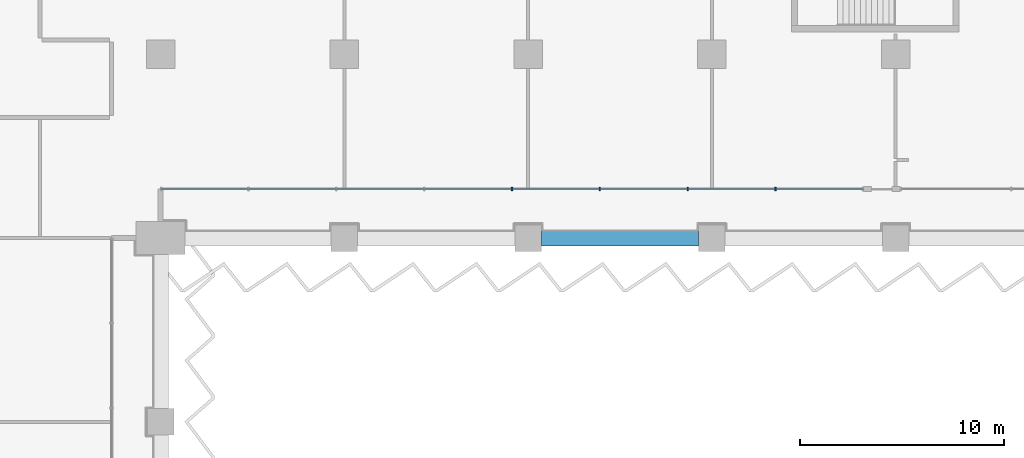
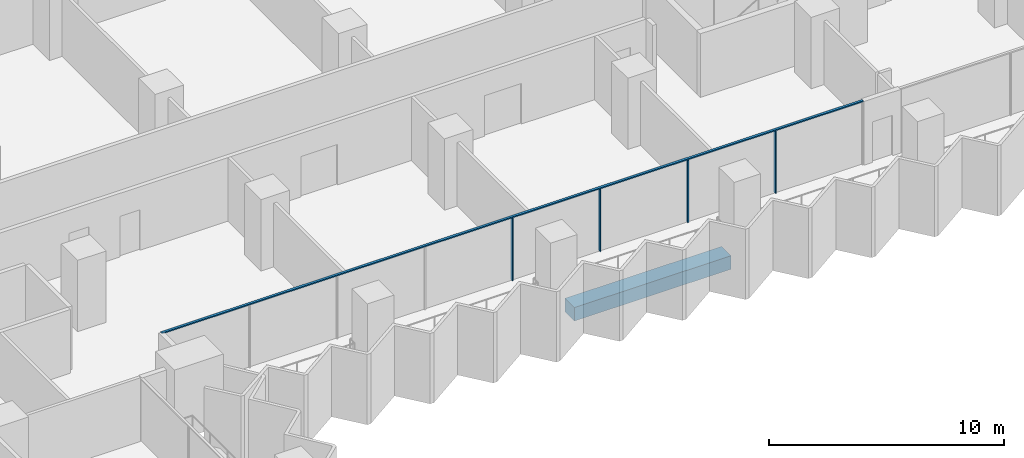
# One storey, part 5 of 28: 5 members, 1 beam, 1 element without a shape of its own.
"""IFC4 building model written with IfcOpenShell, lengths in metres."""

import ifcopenshell
import ifcopenshell.guid

model = None  # the IFC model being written
_history = None  # IfcOwnerHistory: only IFC2X3 demands one
_inside = {}  # id of a spatial element -> (the spatial element, [elements in it])
_under = {}  # id of a project, library or spatial element -> (it, [spatial elements below it])
_declared = {}  # id of a project -> (the project, [libraries it declares])
_typed = {}  # id of a type object -> (the type object, [elements of that type])
_made_of = {}  # id of a material, layer set ... -> (it, [elements and type objects made of it])


def new_model(schema):
    """Start an empty IFC model of exactly this schema.

    Asked for "IFC4X3", IfcOpenShell would pick the latest addendum, in which some entities
    have other attributes; the version numbers below select the first issue.
    IFC2X3 requires an IfcOwnerHistory on every rooted entity: one is made here for all.
    """
    global model, _history
    if schema == "IFC4X3":
        model = ifcopenshell.file(schema_version=(4, 3, 0, 0))
    else:
        model = ifcopenshell.file(schema=schema)
    _inside.clear()
    _under.clear()
    _declared.clear()
    _typed.clear()
    _made_of.clear()
    _history = None
    if model.schema == "IFC2X3":
        org = make("IfcOrganization", Name="unknown")
        user = make(
            "IfcPersonAndOrganization",
            ThePerson=make("IfcPerson", FamilyName="unknown"),
            TheOrganization=org,
        )
        app = make(
            "IfcApplication",
            ApplicationDeveloper=org,
            Version="unknown",
            ApplicationFullName="unknown",
            ApplicationIdentifier="unknown",
        )
        _history = make(
            "IfcOwnerHistory",
            OwningUser=user,
            OwningApplication=app,
            ChangeAction="ADDED",
            CreationDate=0,
        )
    return model


def make(cls, **values):
    """One entity of the class cls with the attributes given. An attribute that is None is left unset."""
    return model.create_entity(
        cls, **{name: value for name, value in values.items() if value is not None}
    )


def rooted(cls, **values):
    """An entity with a GlobalId (a new one), such as an element, a storey or a relation."""
    return make(cls, GlobalId=ifcopenshell.guid.new(), OwnerHistory=_history, **values)


def si_unit(unit_type, name, prefix=None):
    """IfcSIUnit, for example si_unit("LENGTHUNIT", "METRE", prefix="MILLI")."""
    return make("IfcSIUnit", UnitType=unit_type, Prefix=prefix, Name=name)


def assignment(units):
    """IfcUnitAssignment: the units of a project."""
    return None if units is None else make("IfcUnitAssignment", Units=units)


def point(xyz):
    """IfcCartesianPoint."""
    return None if xyz is None else make("IfcCartesianPoint", Coordinates=xyz)


def direction(xyz):
    """IfcDirection."""
    return None if xyz is None else make("IfcDirection", DirectionRatios=xyz)


def frame(location, z_axis=None, x_axis=None):
    """IfcAxis2Placement3D, a coordinate frame: its origin and axes. An axis left out is left unset."""
    return make(
        "IfcAxis2Placement3D",
        Location=point(location),
        Axis=direction(z_axis),
        RefDirection=direction(x_axis),
    )


def frame_2d(location, x_axis=None):
    """IfcAxis2Placement2D, a coordinate frame in the plane: its origin and x axis."""
    return make(
        "IfcAxis2Placement2D", Location=point(location), RefDirection=direction(x_axis)
    )


def origin():
    """The frame at (0, 0, 0) with its axes left unset."""
    return frame((0.0, 0.0, 0.0))


def origin_2d():
    """The frame at (0, 0) in the plane with its x axis left unset."""
    return frame_2d((0.0, 0.0))


def place(relative_to, where):
    """IfcLocalPlacement: puts the frame where relative to a parent placement (None: the world)."""
    return make(
        "IfcLocalPlacement", PlacementRelTo=relative_to, RelativePlacement=where
    )


def context(
    kind, dimensions, precision=None, world=None, true_north=None, identifier=None
):
    """IfcGeometricRepresentationContext, for example the 3D "Model" context."""
    return make(
        "IfcGeometricRepresentationContext",
        ContextIdentifier=identifier,
        ContextType=kind,
        CoordinateSpaceDimension=dimensions,
        Precision=precision,
        WorldCoordinateSystem=world,
        TrueNorth=true_north,
    )


def subcontext(parent, identifier, kind, view, scale=None):
    """IfcGeometricRepresentationSubContext, for example "Body" below "Model"."""
    return make(
        "IfcGeometricRepresentationSubContext",
        ContextIdentifier=identifier,
        ContextType=kind,
        ParentContext=parent,
        TargetScale=scale,
        TargetView=view,
    )


def project(units=None, contexts=None):
    """IfcProject with its units and contexts."""
    return rooted(
        "IfcProject",
        Name="project",
        RepresentationContexts=contexts,
        UnitsInContext=assignment(units),
    )


def spatial(cls, under=None, at=None, **own):
    """A site, building, storey or space (cls), placed at a placement, below another one or the project."""
    s = rooted(cls, ObjectPlacement=at, **own)
    if under is not None:
        _under.setdefault(under.id(), (under, []))[1].append(s)
    return s


def profile(cls, at=None, kind="AREA", **sizes):
    """A parametric profile (cls). Its sizes go by their IFC names, for example OverallWidth=200.0."""
    return make(cls, ProfileType=kind, Position=at, **sizes)


def rectangle(**sizes):
    """IfcRectangleProfileDef."""
    return profile("IfcRectangleProfileDef", **sizes)


def extrude(swept, where, along, depth):
    """IfcExtrudedAreaSolid: the profile swept, set in the frame where, extruded along a direction by depth."""
    return make(
        "IfcExtrudedAreaSolid",
        SweptArea=swept,
        Position=where,
        ExtrudedDirection=direction(along),
        Depth=depth,
    )


def shape(context_of_items, identifier, shape_type, items):
    """IfcShapeRepresentation: the items that make up one representation, for example the "Body"."""
    return make(
        "IfcShapeRepresentation",
        ContextOfItems=context_of_items,
        RepresentationIdentifier=identifier,
        RepresentationType=shape_type,
        Items=items,
    )


def material(Name=None, Category=None):
    """IfcMaterial."""
    return make("IfcMaterial", Name=Name, Category=Category)


def material_profile(
    of_material, cross_section, Name=None, Category=None, Priority=None
):
    """IfcMaterialProfile: a cross section and its material."""
    return make(
        "IfcMaterialProfile",
        Name=Name,
        Material=of_material,
        Profile=cross_section,
        Priority=Priority,
        Category=Category,
    )


def profile_set(profiles, Name=None, composite=None):
    """IfcMaterialProfileSet."""
    return make(
        "IfcMaterialProfileSet",
        Name=Name,
        MaterialProfiles=profiles,
        CompositeProfile=composite,
    )


def made_of(thing, what):
    """Note that an element or type object is made of a material, layer set ...; save() writes the relation."""
    if what is not None:
        _made_of.setdefault(what.id(), (what, []))[1].append(thing)
    return thing


def type_object(cls, material=None, **own):
    """A type object (cls), such as IfcWallType, which elements share."""
    return made_of(rooted(cls, **own), material)


def element(
    cls,
    number,
    at=None,
    inside=None,
    cuts=None,
    type_object=None,
    material=None,
    context=None,
    identifier="Body",
    shape_type=None,
    held_by="IfcProductDefinitionShape",
    body=None,
    shapes=None,
    **own,
):
    """One element of the class cls, such as IfcWall. Its Tag is "e" and its number.

    at: its placement. inside: the storey or other place that contains it. cuts: it is an
    opening in that element (IfcRelVoidsElement). A single representation is given by context,
    identifier, shape_type and body (its items); several are given by shapes. held_by: the class
    of the entity that holds the representations. save() writes the other relations.
    """
    e = rooted(cls, Tag="e%d" % number, ObjectPlacement=at, **own)
    if body is not None:
        shapes = [shape(context, identifier, shape_type, body)]
    if shapes is not None:
        e.Representation = make(held_by, Representations=shapes)
    if inside is not None:
        _inside.setdefault(inside.id(), (inside, []))[1].append(e)
    if cuts is not None:
        rooted(
            "IfcRelVoidsElement", RelatingBuildingElement=cuts, RelatedOpeningElement=e
        )
    if type_object is not None:
        _typed.setdefault(type_object.id(), (type_object, []))[1].append(e)
    return made_of(e, material)


def aggregate(whole, parts):
    """IfcRelAggregates: a whole, such as a stair, and the parts it consists of."""
    return rooted("IfcRelAggregates", RelatingObject=whole, RelatedObjects=parts)


def save(model, path):
    """Write the relations noted so far, then the file.

    IfcRelAggregates (storeys below a building ...), IfcRelContainedInSpatialStructure (elements
    in a storey), IfcRelDefinesByType, IfcRelAssociatesMaterial and IfcRelDeclares: one each for
    every whole, place, type object, material and project.
    """
    for whole, parts in _under.values():
        aggregate(whole, parts)
    for where, things in _inside.values():
        rooted(
            "IfcRelContainedInSpatialStructure",
            RelatedElements=things,
            RelatingStructure=where,
        )
    for kind, things in _typed.values():
        rooted("IfcRelDefinesByType", RelatedObjects=things, RelatingType=kind)
    for what, things in _made_of.values():
        rooted("IfcRelAssociatesMaterial", RelatedObjects=things, RelatingMaterial=what)
    for by, libraries in _declared.values():
        rooted("IfcRelDeclares", RelatingContext=by, RelatedDefinitions=libraries)
    model.write(path)


model = new_model("IFC4")

# Units and contexts
model_context = context("Model", 3, precision=1e-05, world=origin(), true_north=direction((0.0, 1.0)))
body_context = subcontext(model_context, "Body", "Model", "MODEL_VIEW")
ifc_project = project(units=[si_unit("LENGTHUNIT", "METRE"), si_unit("AREAUNIT", "SQUARE_METRE"), si_unit("VOLUMEUNIT", "CUBIC_METRE"), si_unit("PLANEANGLEUNIT", "RADIAN"), si_unit("MASSUNIT", "GRAM", prefix="KILO")], contexts=[model_context])

# Site, building, storey
site_placement = place(None, origin())
site = spatial("IfcSite", under=ifc_project, at=site_placement, CompositionType="ELEMENT")
building_placement = place(site_placement, origin())
building = spatial("IfcBuilding", under=site, at=building_placement, Name="Hunhe Ridgeline Campus", CompositionType="ELEMENT")
storey_placement = place(building_placement, frame((0.0, 0.0, 61.699951171875)))
storey = spatial("IfcBuildingStorey", under=building, at=storey_placement, Name="L14", CompositionType="ELEMENT", Elevation=61.699951171875)

# Curtain wall, members
ifc_material_1 = material(Name="Aluminium 6063", Category="aluminium")
curtain_wall_type = type_object("IfcCurtainWallType", Name="Curtain wall CW-1", PredefinedType="NOTDEFINED", material=ifc_material_1)
curtain_wall_placement = place(storey_placement, origin())
curtain_wall = element("IfcCurtainWall", 1, at=curtain_wall_placement, inside=storey, type_object=curtain_wall_type, Name="Curtain wall 13", PredefinedType="NOTDEFINED")
ifc_material_profile_1 = material_profile(ifc_material_1, rectangle(XDim=0.159912109375, YDim=0.06005859375, at=origin_2d()))
ifc_profile_set_1 = profile_set([ifc_material_profile_1], Name="Aluminium 6063")
member_type_1 = type_object("IfcMemberType", Name="CW-1 aluminium mullion", PredefinedType="MULLION", material=ifc_profile_set_1)
member_1_placement = place(storey_placement, frame((62.211669921875, 56.40087890625, 0.0), z_axis=(0.0, 0.0, 1.0), x_axis=(-3.602063e-06, 0.999999999994, 0.0)))
member_1 = element("IfcMember", 2, at=member_1_placement, type_object=member_type_1, Name="CW-1 mullion 5", PredefinedType="MULLION", context=body_context, shape_type="SweptSolid", body=[
    extrude(rectangle(XDim=0.159912109375, YDim=0.06005859375, at=origin_2d()), origin(), (0.0, 0.0, 1.0), 3.239990234375),
])
member_2_placement = place(storey_placement, frame((66.514892578125, 56.40087890625, 0.0), z_axis=(0.0, 0.0, 1.0), x_axis=(-3.602063e-06, 0.999999999994, 0.0)))
member_2 = element("IfcMember", 3, at=member_2_placement, type_object=member_type_1, Name="CW-1 mullion 6", PredefinedType="MULLION", context=body_context, shape_type="SweptSolid", body=[
    extrude(rectangle(XDim=0.159912109375, YDim=0.06005859375, at=origin_2d()), origin(), (0.0, 0.0, 1.0), 3.239990234375),
])
member_3_placement = place(storey_placement, frame((70.81787109375, 56.40087890625, 0.0), z_axis=(0.0, 0.0, 1.0), x_axis=(-3.602063e-06, 0.999999999994, 0.0)))
member_3 = element("IfcMember", 4, at=member_3_placement, type_object=member_type_1, Name="CW-1 mullion 7", PredefinedType="MULLION", context=body_context, shape_type="SweptSolid", body=[
    extrude(rectangle(XDim=0.159912109375, YDim=0.06005859375, at=origin_2d()), origin(), (0.0, 0.0, 1.0), 3.239990234375),
])
member_4_placement = place(storey_placement, frame((75.12109375, 56.40087890625, 0.0), z_axis=(0.0, 0.0, 1.0), x_axis=(-3.602063e-06, 0.999999999994, 0.0)))
member_4 = element("IfcMember", 5, at=member_4_placement, type_object=member_type_1, Name="CW-1 mullion 8", PredefinedType="MULLION", context=body_context, shape_type="SweptSolid", body=[
    extrude(rectangle(XDim=0.159912109375, YDim=0.06005859375, at=origin_2d()), origin(), (0.0, 0.0, 1.0), 3.239990234375),
])
ifc_material_profile_2 = material_profile(ifc_material_1, rectangle(XDim=0.1201171875, YDim=0.06005859375, at=origin_2d()))
ifc_profile_set_2 = profile_set([ifc_material_profile_2], Name="Aluminium 6063")
member_type_2 = type_object("IfcMemberType", Name="CW-1 aluminium transom", PredefinedType="USERDEFINED", material=ifc_profile_set_2)
member_5_placement = place(storey_placement, frame((44.99951171875, 56.40087890625, 3.27001953125), z_axis=(1.0, 0.0, 0.0), x_axis=(0.0, 1.0, 0.0)))
member_5 = element("IfcMember", 6, at=member_5_placement, type_object=member_type_2, Name="CW-1 transom 1", ObjectType="TRANSOM", PredefinedType="USERDEFINED", context=body_context, shape_type="SweptSolid", body=[
    extrude(rectangle(XDim=0.1201171875, YDim=0.06005859375, at=origin_2d()), origin(), (0.0, 0.0, 1.0), 34.424560546875),
])
aggregate(curtain_wall, [member_5, member_1, member_2, member_3, member_4])

# Beam
ifc_material_2 = material(Name="Concrete C60", Category="concrete")
ifc_material_profile_3 = material_profile(ifc_material_2, rectangle(XDim=0.800048828125, YDim=0.699951171875, at=origin_2d()))
ifc_profile_set_3 = profile_set([ifc_material_profile_3], Name="Concrete C60")
beam_type = type_object("IfcBeamType", Name="RC spandrel beam 800x700 Concrete C60", PredefinedType="SPANDREL", material=ifc_profile_set_3)
beam_placement = place(storey_placement, frame((63.64990234375, 54.0, -0.599853515625), z_axis=(1.0, 0.0, 0.0), x_axis=(0.0, 1.0, 0.0)))
element("IfcBeam", 7, at=beam_placement, inside=storey, type_object=beam_type, Name="Spandrel beam B1-14 L14", PredefinedType="SPANDREL", context=body_context, shape_type="SweptSolid", body=[
    extrude(rectangle(XDim=0.800048828125, YDim=0.699951171875, at=origin_2d()), origin(), (0.0, 0.0, 1.0), 7.7001953125),
])

save(model, "model.ifc")
